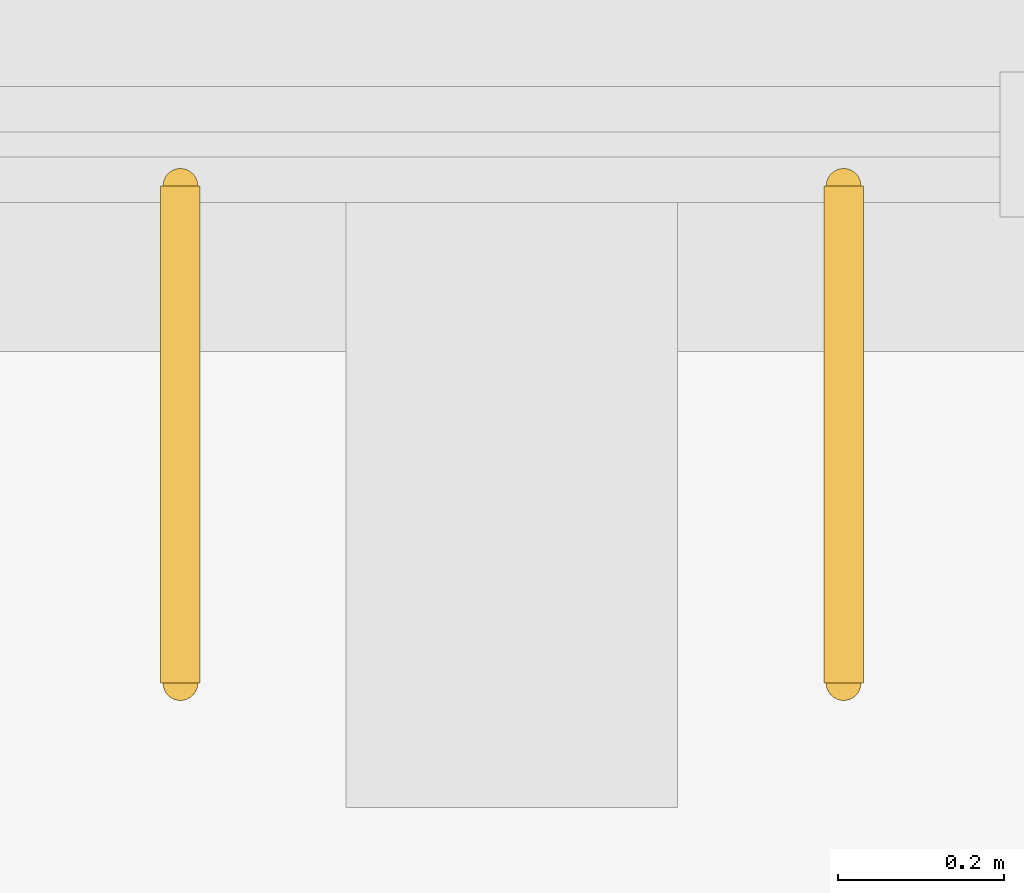
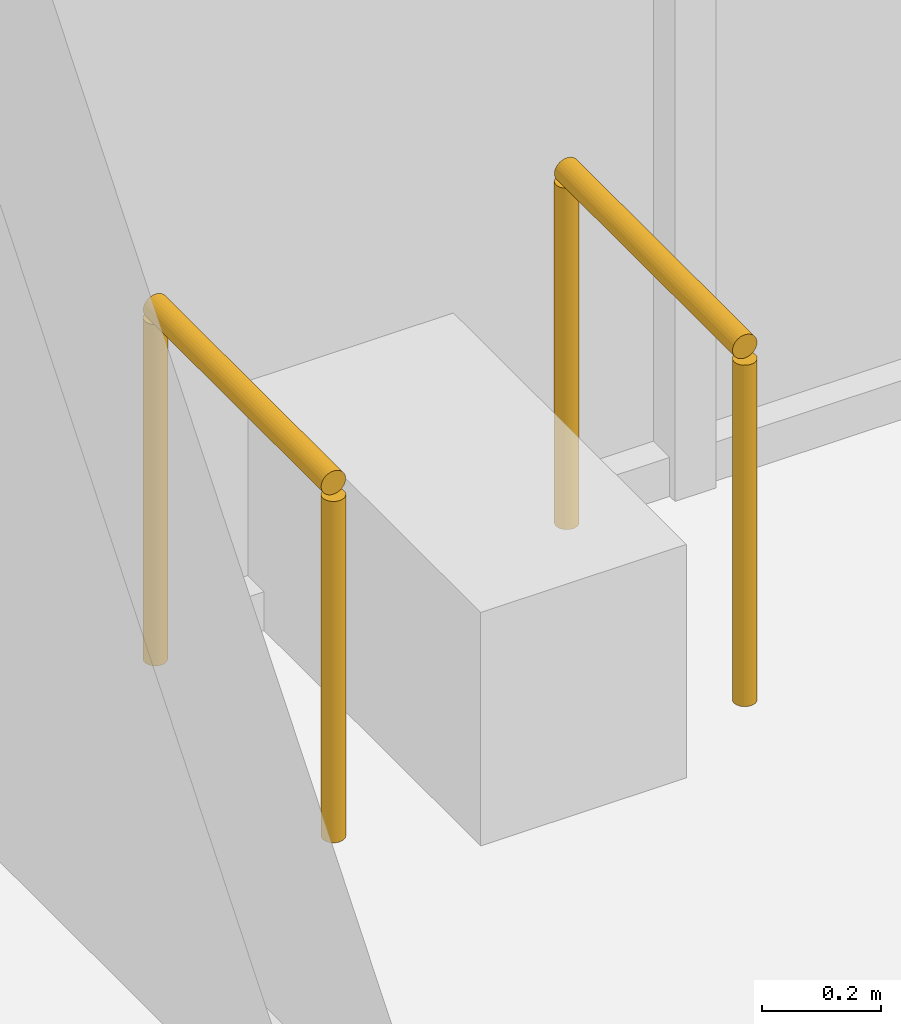
# One storey, part 229 of 250: 2 railings.
"""IFC4 building model written with IfcOpenShell, lengths in metres."""

from ifc_helpers import new_model, si_unit, direction, frame, origin, origin_2d, place, context, subcontext, project, spatial, circle, extrude, material, type_object, element, save


model = new_model("IFC4")

# Units and contexts
model_context = context("Model", 3, precision=1e-05, world=origin(), true_north=direction((0.0, 1.0)))
body_context = subcontext(model_context, "Body", "Model", "MODEL_VIEW")
ifc_project = project(units=[si_unit("LENGTHUNIT", "METRE"), si_unit("AREAUNIT", "SQUARE_METRE"), si_unit("VOLUMEUNIT", "CUBIC_METRE"), si_unit("PLANEANGLEUNIT", "RADIAN"), si_unit("MASSUNIT", "GRAM", prefix="KILO")], contexts=[model_context])

# Site, building, storey
site_placement = place(None, origin())
site = spatial("IfcSite", under=ifc_project, at=site_placement, CompositionType="ELEMENT")
building_placement = place(site_placement, origin())
building = spatial("IfcBuilding", under=site, at=building_placement, Name="Baradari Gate Terminus", CompositionType="ELEMENT")
storey_placement = place(building_placement, origin())
storey = spatial("IfcBuildingStorey", under=building, at=storey_placement, Name="L00", CompositionType="ELEMENT", Elevation=0.0)

# Railings
ifc_material = material(Name="Stainless steel 1.4301", Category="steel")
railing_type = type_object("IfcRailingType", Name="Grab rail GB-1 750", PredefinedType="HANDRAIL", material=ifc_material)
for number, where, name in (
    (1, (38.4375, 143.949951171875, 0.0), "Grab rail Accessible WC"),
    (2, (39.237548828125, 143.949951171875, 0.0), "Grab rail Accessible WC"),
):
    element("IfcRailing", number, at=place(storey_placement, frame(where)), inside=storey, type_object=railing_type, Name=name, PredefinedType="HANDRAIL", context=body_context, shape_type="SweptSolid", body=[
        extrude(circle(Radius=0.02392578125, at=origin_2d()), frame((0.0, 0.0, 0.72607421875), z_axis=(0.0, -1.0, 0.0), x_axis=(1.0, 0.0, 0.0)), (0.0, 0.0, 1.0), 0.599853515625),
        extrude(circle(Radius=0.02099609375, at=origin_2d()), origin(), (0.0, 0.0, 1.0), 0.701904296875),
        extrude(circle(Radius=0.02099609375, at=origin_2d()), frame((0.0, -0.599853515625, 0.0)), (0.0, 0.0, 1.0), 0.701904296875),
    ])

save(model, "model.ifc")
